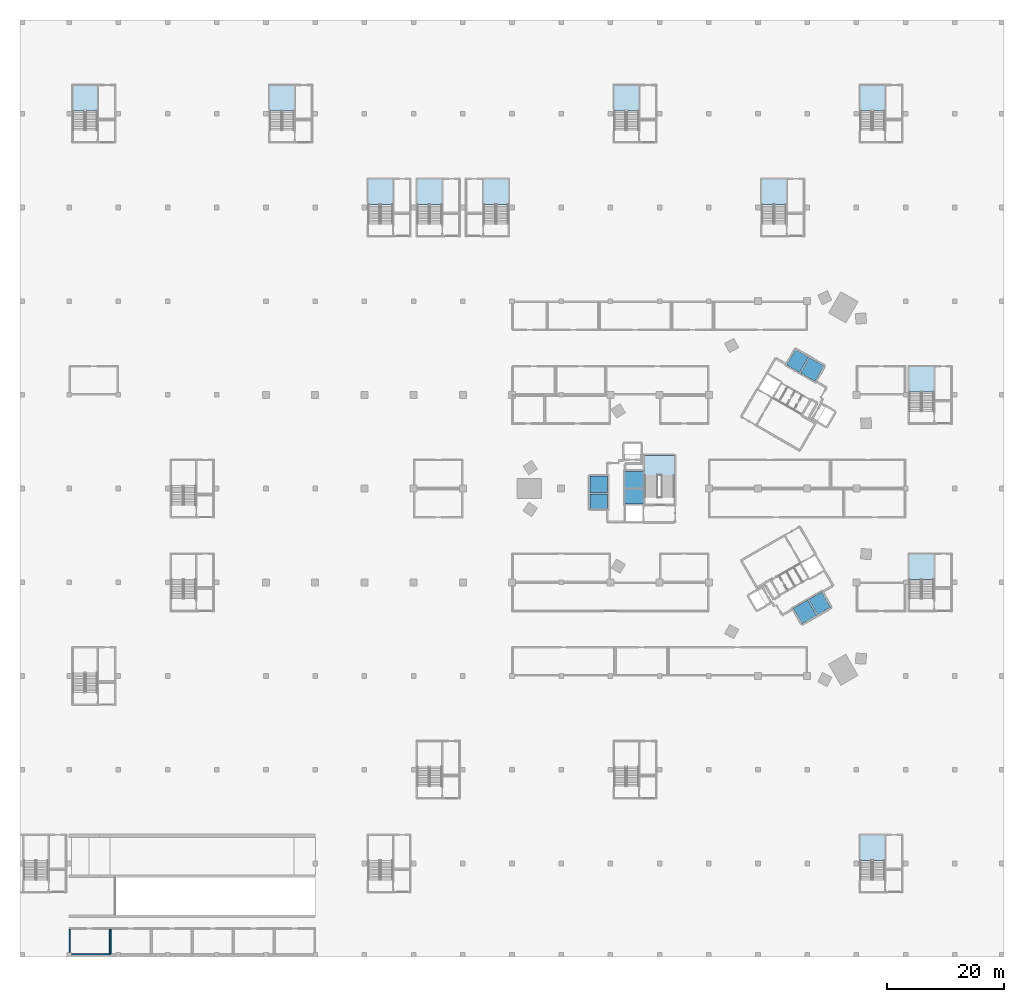
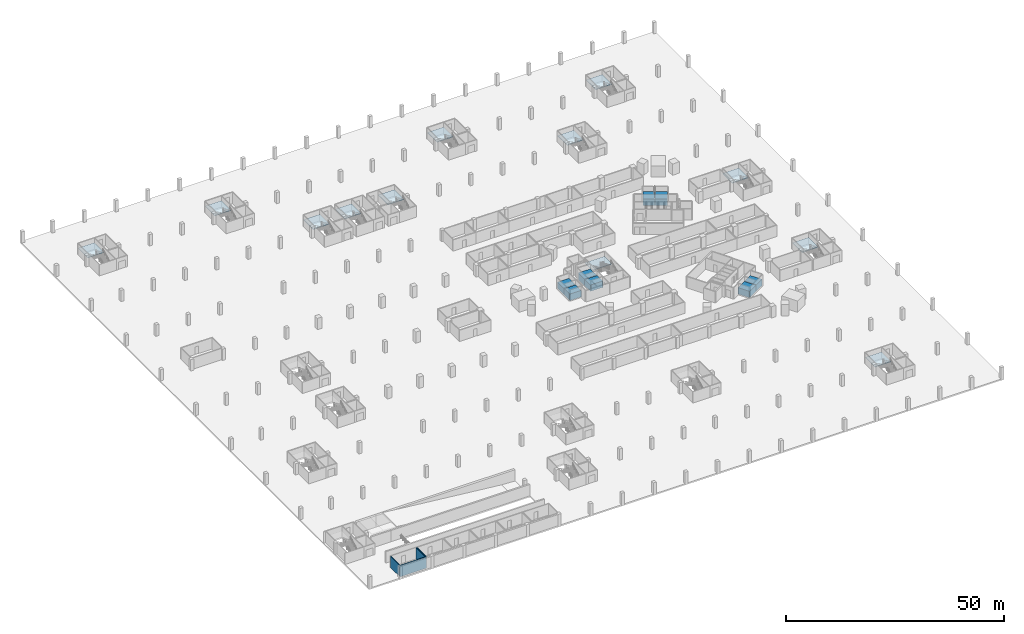
# One storey, part 3 of 37: 20 slabs, 4 walls, 12 elements without a shape of their own.
"""IFC4 building model written with IfcOpenShell, lengths in metres."""

from ifc_helpers import new_model, si_unit, direction, frame, frame_2d, origin, place, context, subcontext, project, spatial, polyline, rectangle, outline, extrude, material, layer, layer_set, type_object, element, aggregate, save


model = new_model("IFC4")

# Units and contexts
model_context = context("Model", 3, precision=1e-05, world=origin(), true_north=direction((0.0, 1.0)))
body_context = subcontext(model_context, "Body", "Model", "MODEL_VIEW")
ifc_project = project(units=[si_unit("LENGTHUNIT", "METRE"), si_unit("AREAUNIT", "SQUARE_METRE"), si_unit("VOLUMEUNIT", "CUBIC_METRE"), si_unit("PLANEANGLEUNIT", "RADIAN"), si_unit("MASSUNIT", "GRAM", prefix="KILO")], contexts=[model_context])

# Site, building, storey
site_placement = place(None, origin())
site = spatial("IfcSite", under=ifc_project, at=site_placement, CompositionType="ELEMENT")
building_placement = place(site_placement, origin())
building = spatial("IfcBuilding", under=site, at=building_placement, Name="Tamra Quay Hotel Tower", CompositionType="ELEMENT")
storey_placement = place(building_placement, frame((0.0, 0.0, -3.60009765625)))
storey = spatial("IfcBuildingStorey", under=building, at=storey_placement, Name="B1", CompositionType="ELEMENT", Elevation=-3.60009765625)

# Stair, slab
ifc_material_1 = material(Name="Basement exit stair")
stair_type_1 = type_object("IfcStairType", Name="Basement exit stair", PredefinedType="HALF_TURN_STAIR", material=ifc_material_1)
stair_1_placement = place(storey_placement, origin())
stair_1 = element("IfcStair", 1, at=stair_1_placement, inside=storey, type_object=stair_type_1, Name="B1 Basement Exit Stair BS2", PredefinedType="HALF_TURN_STAIR")
ifc_material_2 = material(Name="Concrete M60", Category="concrete")
ifc_layer_1 = layer(ifc_material_2, 0.199951171875)
ifc_layer_set_1 = layer_set([ifc_layer_1], Name="Concrete M60 basement stair landing 200")
slab_type_1 = type_object("IfcSlabType", Name="Concrete M60 basement stair landing 200", PredefinedType="LANDING", material=ifc_layer_set_1)
slab_1_placement = place(storey_placement, frame((0.0, 0.0, 1.60009765625)))
slab_1 = element("IfcSlab", 2, at=slab_1_placement, type_object=slab_type_1, Name="BS2 landing 1", PredefinedType="LANDING", context=body_context, shape_type="SweptSolid", body=[
    extrude(outline(polyline([(-109.449951171875, 64.47998046875), (-109.449951171875, 68.85009765625), (-113.699951171875, 68.85009765625), (-113.699951171875, 64.47998046875), (-109.449951171875, 64.47998046875)])), origin(), (0.0, 0.0, 1.0), 0.199951171875),
])
aggregate(stair_1, [slab_1])

stair_2_placement = place(storey_placement, origin())
stair_2 = element("IfcStair", 3, at=stair_2_placement, inside=storey, type_object=stair_type_1, Name="B1 Basement Exit Stair BS5", PredefinedType="HALF_TURN_STAIR")
slab_2_placement = place(storey_placement, frame((0.0, 0.0, 1.60009765625)))
slab_2 = element("IfcSlab", 4, at=slab_2_placement, type_object=slab_type_1, Name="BS5 landing 1", PredefinedType="LANDING", context=body_context, shape_type="SweptSolid", body=[
    extrude(outline(polyline([(-75.85009765625, 64.47998046875), (-75.85009765625, 68.85009765625), (-80.10009765625, 68.85009765625), (-80.10009765625, 64.47998046875), (-75.85009765625, 64.47998046875)])), origin(), (0.0, 0.0, 1.0), 0.199951171875),
])
aggregate(stair_2, [slab_2])

stair_3_placement = place(storey_placement, origin())
stair_3 = element("IfcStair", 5, at=stair_3_placement, inside=storey, type_object=stair_type_1, Name="B1 Basement Exit Stair BS7", PredefinedType="HALF_TURN_STAIR")
slab_3_placement = place(storey_placement, frame((0.0, 0.0, 1.60009765625)))
slab_3 = element("IfcSlab", 6, at=slab_3_placement, type_object=slab_type_1, Name="BS7 landing 1", PredefinedType="LANDING", context=body_context, shape_type="SweptSolid", body=[
    extrude(outline(polyline([(-59.050048828125, 48.47998046875), (-59.050048828125, 52.85009765625), (-63.300048828125, 52.85009765625), (-63.300048828125, 48.47998046875), (-59.050048828125, 48.47998046875)])), origin(), (0.0, 0.0, 1.0), 0.199951171875),
])
aggregate(stair_3, [slab_3])

stair_4_placement = place(storey_placement, origin())
stair_4 = element("IfcStair", 7, at=stair_4_placement, inside=storey, type_object=stair_type_1, Name="B1 Basement Exit Stair BS9", PredefinedType="HALF_TURN_STAIR")
slab_4_placement = place(storey_placement, frame((0.0, 0.0, 1.60009765625)))
slab_4 = element("IfcSlab", 8, at=slab_4_placement, type_object=slab_type_1, Name="BS9 landing 1", PredefinedType="LANDING", context=body_context, shape_type="SweptSolid", body=[
    extrude(outline(polyline([(-50.64990234375, 48.47998046875), (-50.64990234375, 52.85009765625), (-54.89990234375, 52.85009765625), (-54.89990234375, 48.47998046875), (-50.64990234375, 48.47998046875)])), origin(), (0.0, 0.0, 1.0), 0.199951171875),
])
aggregate(stair_4, [slab_4])

stair_5_placement = place(storey_placement, origin())
stair_5 = element("IfcStair", 9, at=stair_5_placement, inside=storey, type_object=stair_type_1, Name="B1 Basement Exit Stair BS11", PredefinedType="HALF_TURN_STAIR")
slab_5_placement = place(storey_placement, frame((0.0, 0.0, 1.60009765625)))
slab_5 = element("IfcSlab", 10, at=slab_5_placement, type_object=slab_type_1, Name="BS11 landing 1", PredefinedType="LANDING", context=body_context, shape_type="SweptSolid", body=[
    extrude(outline(polyline([(-17.050048828125, 64.47998046875), (-17.050048828125, 68.85009765625), (-21.300048828125, 68.85009765625), (-21.300048828125, 64.47998046875), (-17.050048828125, 64.47998046875)])), origin(), (0.0, 0.0, 1.0), 0.199951171875),
])
aggregate(stair_5, [slab_5])

stair_6_placement = place(storey_placement, origin())
stair_6 = element("IfcStair", 11, at=stair_6_placement, inside=storey, type_object=stair_type_1, Name="B1 Basement Exit Stair BS12", PredefinedType="HALF_TURN_STAIR")
slab_6_placement = place(storey_placement, frame((0.0, 0.0, 1.60009765625)))
slab_6 = element("IfcSlab", 12, at=slab_6_placement, type_object=slab_type_1, Name="BS12 landing 1", PredefinedType="LANDING", context=body_context, shape_type="SweptSolid", body=[
    extrude(outline(polyline([(8.14990234375, 48.47998046875), (8.14990234375, 52.85009765625), (3.89990234375, 52.85009765625), (3.89990234375, 48.47998046875), (8.14990234375, 48.47998046875)])), origin(), (0.0, 0.0, 1.0), 0.199951171875),
])
aggregate(stair_6, [slab_6])

stair_7_placement = place(storey_placement, origin())
stair_7 = element("IfcStair", 13, at=stair_7_placement, inside=storey, type_object=stair_type_1, Name="B1 Basement Exit Stair BS13", PredefinedType="HALF_TURN_STAIR")
slab_7_placement = place(storey_placement, frame((0.0, 0.0, 1.60009765625)))
slab_7 = element("IfcSlab", 14, at=slab_7_placement, type_object=slab_type_1, Name="BS13 landing 1", PredefinedType="LANDING", context=body_context, shape_type="SweptSolid", body=[
    extrude(outline(polyline([(24.949951171875, -63.52001953125), (24.949951171875, -59.14990234375), (20.699951171875, -59.14990234375), (20.699951171875, -63.52001953125), (24.949951171875, -63.52001953125)])), origin(), (0.0, 0.0, 1.0), 0.199951171875),
])
aggregate(stair_7, [slab_7])

stair_8_placement = place(storey_placement, origin())
stair_8 = element("IfcStair", 15, at=stair_8_placement, inside=storey, type_object=stair_type_1, Name="B1 Basement Exit Stair BS14", PredefinedType="HALF_TURN_STAIR")
slab_8_placement = place(storey_placement, frame((0.0, 0.0, 1.60009765625)))
slab_8 = element("IfcSlab", 16, at=slab_8_placement, type_object=slab_type_1, Name="BS14 landing 1", PredefinedType="LANDING", context=body_context, shape_type="SweptSolid", body=[
    extrude(outline(polyline([(24.949951171875, 64.47998046875), (24.949951171875, 68.85009765625), (20.699951171875, 68.85009765625), (20.699951171875, 64.47998046875), (24.949951171875, 64.47998046875)])), origin(), (0.0, 0.0, 1.0), 0.199951171875),
])
aggregate(stair_8, [slab_8])

stair_9_placement = place(storey_placement, origin())
stair_9 = element("IfcStair", 17, at=stair_9_placement, inside=storey, type_object=stair_type_1, Name="B1 Basement Exit Stair BS15", PredefinedType="HALF_TURN_STAIR")
slab_9_placement = place(storey_placement, frame((0.0, 0.0, 1.60009765625)))
slab_9 = element("IfcSlab", 18, at=slab_9_placement, type_object=slab_type_1, Name="BS15 landing 1", PredefinedType="LANDING", context=body_context, shape_type="SweptSolid", body=[
    extrude(outline(polyline([(33.35009765625, -15.52001953125), (33.35009765625, -11.14990234375), (29.10009765625, -11.14990234375), (29.10009765625, -15.52001953125), (33.35009765625, -15.52001953125)])), origin(), (0.0, 0.0, 1.0), 0.199951171875),
])
aggregate(stair_9, [slab_9])

stair_10_placement = place(storey_placement, origin())
stair_10 = element("IfcStair", 19, at=stair_10_placement, inside=storey, type_object=stair_type_1, Name="B1 Basement Exit Stair BS16", PredefinedType="HALF_TURN_STAIR")
slab_10_placement = place(storey_placement, frame((0.0, 0.0, 1.60009765625)))
slab_10 = element("IfcSlab", 20, at=slab_10_placement, type_object=slab_type_1, Name="BS16 landing 1", PredefinedType="LANDING", context=body_context, shape_type="SweptSolid", body=[
    extrude(outline(polyline([(33.35009765625, 16.47998046875), (33.35009765625, 20.85009765625), (29.10009765625, 20.85009765625), (29.10009765625, 16.47998046875), (33.35009765625, 16.47998046875)])), origin(), (0.0, 0.0, 1.0), 0.199951171875),
])
aggregate(stair_10, [slab_10])

stair_11_placement = place(storey_placement, origin())
stair_11 = element("IfcStair", 21, at=stair_11_placement, inside=storey, type_object=stair_type_1, Name="B1 Basement Exit Stair BS17", PredefinedType="HALF_TURN_STAIR")
slab_11_placement = place(storey_placement, frame((0.0, 0.0, 1.60009765625)))
slab_11 = element("IfcSlab", 22, at=slab_11_placement, type_object=slab_type_1, Name="BS17 landing 1", PredefinedType="LANDING", context=body_context, shape_type="SweptSolid", body=[
    extrude(outline(polyline([(-39.300048828125, 48.47998046875), (-39.300048828125, 52.85009765625), (-43.550048828125, 52.85009765625), (-43.550048828125, 48.47998046875), (-39.300048828125, 48.47998046875)])), origin(), (0.0, 0.0, 1.0), 0.199951171875),
])
aggregate(stair_11, [slab_11])

# Slabs
ifc_material_3 = material(Name="Concrete M70", Category="concrete")
slab_type_2 = type_object("IfcSlabType", Name="Concrete M70 lift pit base", PredefinedType="BASESLAB", material=ifc_material_3)
slab_12_placement = place(storey_placement, origin())
element("IfcSlab", 23, at=slab_12_placement, inside=storey, type_object=slab_type_2, Name="Concrete M70 lift pit base OB1", PredefinedType="BASESLAB", context=body_context, shape_type="SweptSolid", body=[
    extrude(outline(polyline([(-16.26318359375, 0.0), (-16.26318359375, 0.099853515625), (-19.46142578125, 0.099853515625), (-19.46142578125, 0.0), (-19.46240234375, 0.0), (-19.46240234375, 2.949951171875), (-16.26220703125, 2.949951171875), (-16.26220703125, 0.0), (-16.26318359375, 0.0)])), origin(), (0.0, 0.0, 1.0), 1.800048828125),
])
slab_13_placement = place(storey_placement, origin())
element("IfcSlab", 24, at=slab_13_placement, inside=storey, type_object=slab_type_2, Name="Concrete M70 lift pit base OB2", PredefinedType="BASESLAB", context=body_context, shape_type="SweptSolid", body=[
    extrude(outline(polyline([(-16.312255859375, -2.898193359375), (-16.312255859375, -2.64990234375), (-19.412353515625, -2.64990234375), (-19.412353515625, -2.898193359375), (-19.46240234375, -2.898193359375), (-19.46240234375, 0.0), (-19.46142578125, 0.0), (-19.46142578125, -0.10009765625), (-16.26318359375, -0.10009765625), (-16.26318359375, 0.0), (-16.26220703125, 0.0), (-16.26220703125, -2.898193359375), (-16.312255859375, -2.898193359375)])), origin(), (0.0, 0.0, 1.0), 1.800048828125),
])
slab_14_placement = place(storey_placement, origin())
element("IfcSlab", 25, at=slab_14_placement, inside=storey, type_object=slab_type_2, Name="Concrete M70 lift pit base SH1", PredefinedType="BASESLAB", context=body_context, shape_type="SweptSolid", body=[
    extrude(outline(polyline([(-22.36328125, -0.800048828125), (-22.36328125, -0.7001953125), (-25.411376953125, -0.7001953125), (-25.411376953125, -0.800048828125), (-25.412353515625, -0.800048828125), (-25.412353515625, 2.14990234375), (-22.3623046875, 2.14990234375), (-22.3623046875, -0.800048828125), (-22.36328125, -0.800048828125)])), origin(), (0.0, 0.0, 1.0), 1.800048828125),
])
slab_15_placement = place(storey_placement, origin())
element("IfcSlab", 26, at=slab_15_placement, inside=storey, type_object=slab_type_2, Name="Concrete M70 lift pit base SH2", PredefinedType="BASESLAB", context=body_context, shape_type="SweptSolid", body=[
    extrude(outline(polyline([(-25.411376953125, -0.800048828125), (-25.411376953125, -0.900146484375), (-22.36328125, -0.900146484375), (-22.36328125, -0.800048828125), (-22.3623046875, -0.800048828125), (-22.3623046875, -3.449951171875), (-25.412353515625, -3.449951171875), (-25.412353515625, -0.800048828125), (-25.411376953125, -0.800048828125)])), origin(), (0.0, 0.0, 1.0), 1.800048828125),
])
slab_16_placement = place(storey_placement, origin())
element("IfcSlab", 27, at=slab_16_placement, inside=storey, type_object=slab_type_2, Name="Concrete M70 lift pit base LR1", PredefinedType="BASESLAB", context=body_context, shape_type="SweptSolid", body=[
    extrude(outline(polyline([(10.48876953125, 19.76708984375), (10.5751953125, 19.717041015625), (12.099365234375, 22.35693359375), (12.0126953125, 22.406982421875), (12.01318359375, 22.40771484375), (14.568115234375, 20.9326171875), (13.04296875, 18.291259765625), (10.48828125, 19.766357421875), (10.48876953125, 19.76708984375)])), origin(), (0.0, 0.0, 1.0), 1.800048828125),
])
slab_17_placement = place(storey_placement, origin())
element("IfcSlab", 28, at=slab_17_placement, inside=storey, type_object=slab_type_2, Name="Concrete M70 lift pit base LR2", PredefinedType="BASESLAB", context=body_context, shape_type="SweptSolid", body=[
    extrude(outline(polyline([(12.0126953125, 22.406982421875), (11.926025390625, 22.456787109375), (10.402099609375, 19.817138671875), (10.48876953125, 19.76708984375), (10.48828125, 19.766357421875), (8.193359375, 21.09130859375), (9.71826171875, 23.732666015625), (12.01318359375, 22.40771484375), (12.0126953125, 22.406982421875)])), origin(), (0.0, 0.0, 1.0), 1.800048828125),
])
slab_18_placement = place(storey_placement, origin())
element("IfcSlab", 29, at=slab_18_placement, inside=storey, type_object=slab_type_2, Name="Concrete M70 lift pit base LR3", PredefinedType="BASESLAB", context=body_context, shape_type="SweptSolid", body=[
    extrude(outline(polyline([(11.87451171875, -18.967041015625), (11.787841796875, -19.01708984375), (13.31201171875, -21.65673828125), (13.3984375, -21.606689453125), (13.399169921875, -21.607666015625), (10.84423828125, -23.082763671875), (9.319091796875, -20.441162109375), (11.8740234375, -18.966064453125), (11.87451171875, -18.967041015625)])), origin(), (0.0, 0.0, 1.0), 1.800048828125),
])
slab_19_placement = place(storey_placement, origin())
element("IfcSlab", 30, at=slab_19_placement, inside=storey, type_object=slab_type_2, Name="Concrete M70 lift pit base LR4", PredefinedType="BASESLAB", context=body_context, shape_type="SweptSolid", body=[
    extrude(outline(polyline([(13.3984375, -21.606689453125), (13.485107421875, -21.556884765625), (11.961181640625, -18.9169921875), (11.87451171875, -18.967041015625), (11.8740234375, -18.966064453125), (14.1689453125, -17.64111328125), (15.69384765625, -20.28271484375), (13.399169921875, -21.607666015625), (13.3984375, -21.606689453125)])), origin(), (0.0, 0.0, 1.0), 1.800048828125),
])

# Stair, slab
ifc_material_4 = material(Name="Exit stair 2200 24 risers 150.0 going 342")
stair_type_2 = type_object("IfcStairType", Name="Exit stair 2200 24 risers 150.0 going 342", PredefinedType="HALF_TURN_STAIR", material=ifc_material_4)
stair_12_placement = place(storey_placement, origin())
stair_12 = element("IfcStair", 31, at=stair_12_placement, inside=storey, type_object=stair_type_2, Name="B1 Exit stair ST3", PredefinedType="HALF_TURN_STAIR")
ifc_layer_2 = layer(ifc_material_3, 0.175048828125)
ifc_layer_set_2 = layer_set([ifc_layer_2], Name="Concrete M70 stair landing 180")
slab_type_3 = type_object("IfcSlabType", Name="Concrete M70 stair landing 180", PredefinedType="LANDING", material=ifc_layer_set_2)
slab_20_placement = place(storey_placement, frame((0.0, 0.0, 1.625)))
slab_20 = element("IfcSlab", 32, at=slab_20_placement, type_object=slab_type_3, Name="ST3 landing 1", PredefinedType="LANDING", context=body_context, shape_type="SweptSolid", body=[
    extrude(outline(polyline([(-10.932373046875, 2.261962890625), (-10.932373046875, 5.679931640625), (-16.09130859375, 5.679931640625), (-16.09130859375, 2.261962890625), (-10.932373046875, 2.261962890625)])), origin(), (0.0, 0.0, 1.0), 0.175048828125),
])
aggregate(stair_12, [slab_20])

# Walls
ifc_material_5 = material(Name="Blockwork", Category="masonry")
ifc_layer_3 = layer(ifc_material_5, 0.199951171875)
ifc_layer_set_3 = layer_set([ifc_layer_3], Name="Car park room wall 200")
wall_type = type_object("IfcWallType", Name="Car park room wall 200", PredefinedType="PARTITIONING", material=ifc_layer_set_3)
wall_1_placement = place(storey_placement, frame((-114.300048828125, -79.5, 0.0), z_axis=(0.0, 0.0, 1.0), x_axis=(1.0, 0.0, 0.0)))
element("IfcWall", 33, at=wall_1_placement, inside=storey, type_object=wall_type, Name="PW", PredefinedType="PARTITIONING", context=body_context, shape_type="SweptSolid", body=[
    extrude(rectangle(XDim=7.0, YDim=0.199951171875, at=frame_2d((3.5, 0.0))), origin(), (0.0, 0.0, 1.0), 3.150146484375),
])
wall_2_placement = place(storey_placement, frame((-114.199951171875, -79.199951171875, 0.0), z_axis=(0.0, 0.0, 1.0), x_axis=(0.0, 1.0, 0.0)))
element("IfcWall", 34, at=wall_2_placement, inside=storey, type_object=wall_type, Name="PW", PredefinedType="PARTITIONING", context=body_context, shape_type="SweptSolid", body=[
    extrude(rectangle(XDim=4.0, YDim=0.199951171875, at=frame_2d((2.0, 0.0))), origin(), (0.0, 0.0, 1.0), 3.150146484375),
])
for number, where, z_axis, x_axis, name in (
    (35, (-107.39990234375, -79.39990234375, 0.0), (0.0, 0.0, 1.0), (0.0, 1.0, 0.0), "PW"),
    (36, (-107.199951171875, -79.39990234375, 0.0), (0.0, 0.0, 1.0), (0.0, 1.0, 0.0), "PW"),
):
    element("IfcWall", number, at=place(storey_placement, frame(where, z_axis=z_axis, x_axis=x_axis)), inside=storey, type_object=wall_type, Name=name, PredefinedType="PARTITIONING", context=body_context, shape_type="SweptSolid", body=[
        extrude(rectangle(XDim=4.199951171875, YDim=0.199951171875, at=frame_2d((2.10009765625, 0.0))), origin(), (0.0, 0.0, 1.0), 3.150146484375),
    ])

save(model, "model.ifc")
